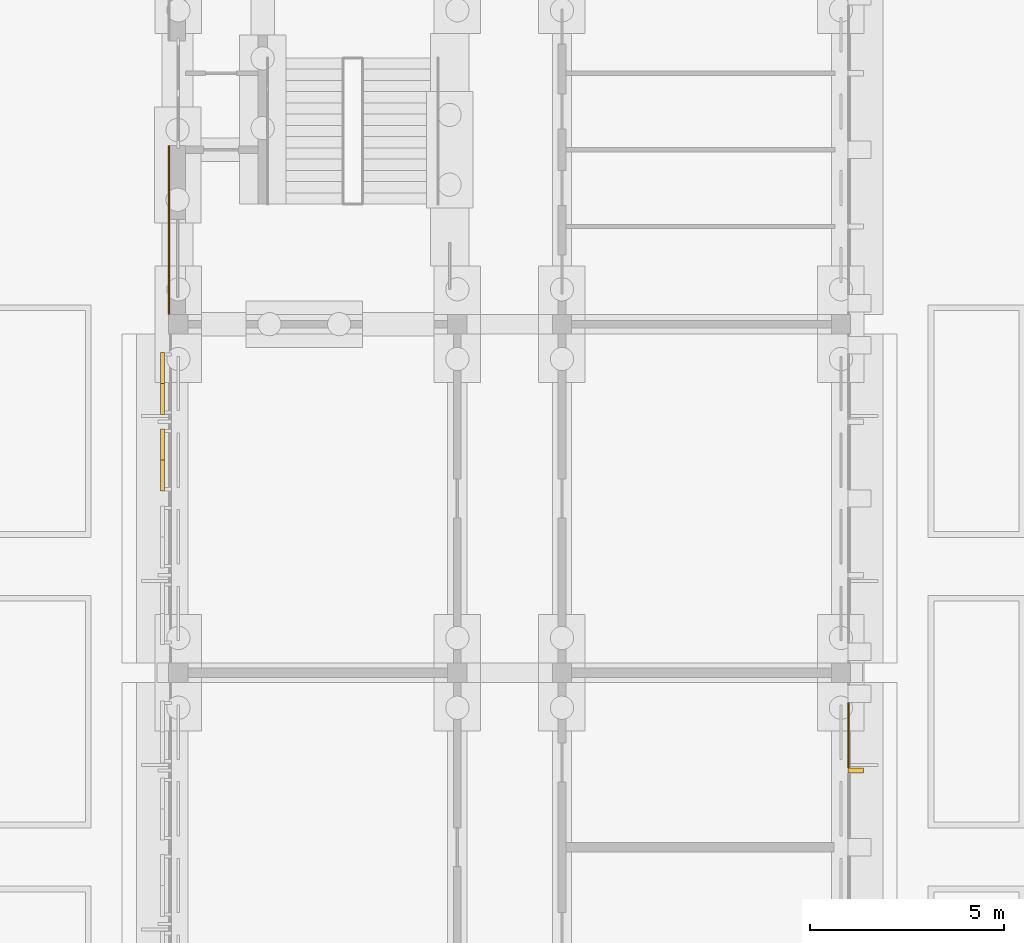
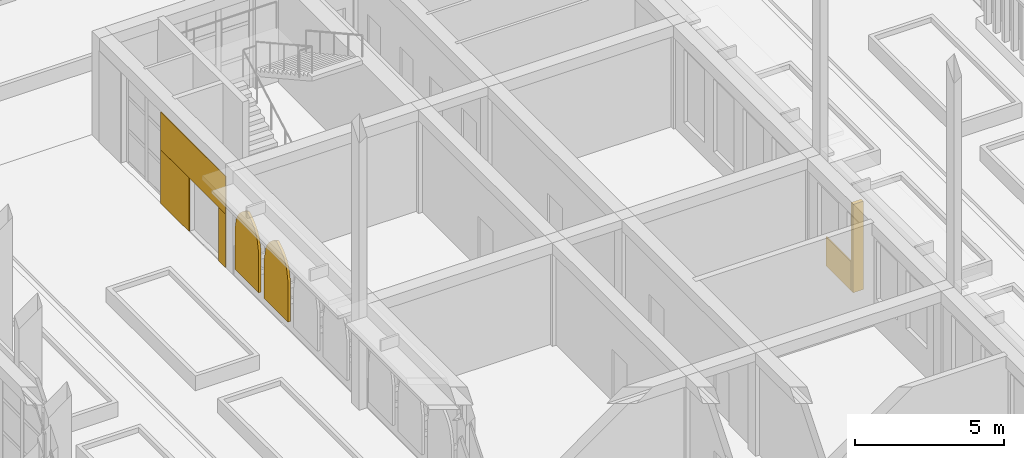
# One storey, part 109 of 161: 5 coverings, 2 shading devices.
"""IFC4 building model written with IfcOpenShell, lengths in metres."""

from ifc_helpers import new_model, si_unit, direction, frame, origin, origin_2d, place, context, subcontext, project, spatial, polyline, rectangle, outline, extrude, material, layer, layer_set, type_object, element, save


model = new_model("IFC4")

# Units and contexts
model_context = context("Model", 3, precision=1e-05, world=origin(), true_north=direction((0.0, 1.0)))
body_context = subcontext(model_context, "Body", "Model", "MODEL_VIEW")
ifc_project = project(units=[si_unit("LENGTHUNIT", "METRE"), si_unit("AREAUNIT", "SQUARE_METRE"), si_unit("VOLUMEUNIT", "CUBIC_METRE"), si_unit("PLANEANGLEUNIT", "RADIAN"), si_unit("MASSUNIT", "GRAM", prefix="KILO")], contexts=[model_context])

# Site, building, storey
site_placement = place(None, origin())
site = spatial("IfcSite", under=ifc_project, at=site_placement, CompositionType="ELEMENT")
building_placement = place(site_placement, origin())
building = spatial("IfcBuilding", under=site, at=building_placement, Name="Elbe Cascade School", CompositionType="ELEMENT")
storey_placement = place(building_placement, origin())
storey = spatial("IfcBuildingStorey", under=building, at=storey_placement, Name="L00", CompositionType="ELEMENT", Elevation=0.0)

# Shading devices
ifc_material_1 = material(Name="Precast concrete C40/50", Category="concrete")
ifc_layer_1 = layer(ifc_material_1, 0.10009765625)
ifc_layer_set_1 = layer_set([ifc_layer_1], Name="Precast concrete C40/50")
shading_device_type = type_object("IfcShadingDeviceType", Name="Bars envelope Jali screen 1600 x 2840, pointed arch rise 1200, pierced precast concrete", PredefinedType="USERDEFINED", material=ifc_layer_set_1)
shading_device_1_placement = place(storey_placement, frame((98.139892578125, 46.68994140625, 2.239990234375), z_axis=(-1.0, 0.0, 0.0), x_axis=(0.0, 0.196300278283, 0.98054382908)))
element("IfcShadingDevice", 1, at=shading_device_1_placement, inside=storey, type_object=shading_device_type, Name="Jali screen SD3 B.L00.w5.3", ObjectType="JALI", PredefinedType="USERDEFINED", context=body_context, shape_type="SweptSolid", body=[
    extrude(outline(polyline([(0.0, 0.0), (0.509921112317134, 0.0), (0.7186409460062186, 0.06005009918221829), (0.8735458233318658, 0.1311226852889124), (0.9982874871653163, 0.20823380534668107), (1.102872417131342, 0.2891312241218946), (1.1919448840573539, 0.37338315020117196), (1.268281725197354, 0.45993570394643946), (1.3336545243794973, 0.5489321924158467), (1.3075801207519657, 0.6562359822289878), (1.270445825421322, 0.7655049255997259), (1.220671754049922, 0.877553277802997), (1.155289369893253, 0.9924773561437888), (1.069846101614414, 1.1116665143685687), (0.9542396198433787, 1.2368942065444228), (0.7847223319636507, 1.37266560447821), (0.31409961520112845, 1.5689658827607584), (-1.2938869326328684, 1.8908772522001815), (-1.6079865478339967, 0.32191136943942317), (0.0, 0.0)])), origin(), (0.0, 0.0, -1.0), 0.10009765625),
])
shading_device_2_placement = place(storey_placement, frame((98.139892578125, 48.669921875, 2.239990234375), z_axis=(-1.0, 0.0, 0.0), x_axis=(0.0, 0.196300278283, 0.98054382908)))
element("IfcShadingDevice", 2, at=shading_device_2_placement, inside=storey, type_object=shading_device_type, Name="Jali screen SD3 B.L00.w5.4", ObjectType="JALI", PredefinedType="USERDEFINED", context=body_context, shape_type="SweptSolid", body=[
    extrude(outline(polyline([(0.0, 0.0), (0.509921112317134, 0.0), (0.7186888708788461, 0.0602894897654897), (0.8735458233318658, 0.1311226852889124), (0.9982874871653163, 0.20823380534668107), (1.102872417131342, 0.2891312241218946), (1.1919448840573539, 0.37338315020117196), (1.2683296500699814, 0.46017509452971084), (1.3336545243794973, 0.5489321924158467), (1.3075801207519657, 0.6562359822289878), (1.270445825421322, 0.7655049255997259), (1.220671754049922, 0.877553277802997), (1.1553372947658807, 0.9927167467270602), (1.069846101614414, 1.1116665143685687), (0.9542396198433787, 1.2368942065444228), (0.7847223319636507, 1.37266560447821), (0.31409961520112845, 1.5689658827607584), (-1.2938869326328684, 1.8908772522001815), (-1.6079865478339967, 0.32191136943942317), (0.0, 0.0)])), origin(), (0.0, 0.0, -1.0), 0.10009765625),
])

# Coverings
ifc_material_2 = material(Name="Precast concrete C40/50", Category="concrete")
covering_type_1 = type_object("IfcCoveringType", Name="Bars envelope Precast concrete fin, 140 wide, 400 deep", PredefinedType="CLADDING", material=ifc_material_2)
covering_1_placement = place(storey_placement, frame((116.080078125, 39.47998046875, 0.0), z_axis=(0.0, 0.0, 1.0), x_axis=(0.0, 1.0, 0.0)))
element("IfcCovering", 3, at=covering_1_placement, inside=storey, type_object=covering_type_1, Name="Fin CV56 B.L00.e4.5", PredefinedType="CLADDING", context=body_context, shape_type="SweptSolid", body=[
    extrude(rectangle(XDim=0.139892578125, YDim=0.39990234375, at=origin_2d()), origin(), (0.0, 0.0, 1.0), 3.6298828125),
])
ifc_material_3 = material(Name="Sandstone - red", Category="masonry")
ifc_layer_2 = layer(ifc_material_3, 0.0400390625)
ifc_layer_set_2 = layer_set([ifc_layer_2], Name="Sandstone - red")
covering_type_2 = type_object("IfcCoveringType", Name="Bars envelope Sandstone cladding, red, 40 mm", PredefinedType="CLADDING", material=ifc_layer_set_2)
covering_2_placement = place(storey_placement, frame((98.360107421875, 51.47509765625, 0.0), z_axis=(0.0, 0.0, 1.0), x_axis=(0.0, 1.0, 0.0)))
element("IfcCovering", 4, at=covering_2_placement, inside=storey, type_object=covering_type_2, Name="Sandstone cladding CV48 B.L00.w.6a.1", PredefinedType="CLADDING", context=body_context, shape_type="SweptSolid", body=[
    extrude(rectangle(XDim=0.449951171875, YDim=0.0400390625, at=origin_2d()), origin(), (0.0, 0.0, 1.0), 2.199951171875),
])
covering_3_placement = place(storey_placement, frame((98.360107421875, 54.655029296875, 0.0), z_axis=(0.0, 0.0, 1.0), x_axis=(0.0, 1.0, 0.0)))
element("IfcCovering", 5, at=covering_3_placement, inside=storey, type_object=covering_type_2, Name="Sandstone cladding CV48 B.L00.w.6a.2", PredefinedType="CLADDING", context=body_context, shape_type="SweptSolid", body=[
    extrude(rectangle(XDim=1.909912109375, YDim=0.0400390625, at=origin_2d()), origin(), (0.0, 0.0, 1.0), 2.199951171875),
])
covering_4_placement = place(storey_placement, frame((98.360107421875, 53.429931640625, 2.2001953125), z_axis=(0.0, 0.0, 1.0), x_axis=(0.0, 1.0, 0.0)))
element("IfcCovering", 6, at=covering_4_placement, inside=storey, type_object=covering_type_2, Name="Sandstone cladding CV48 B.L00.w.6a.3", PredefinedType="CLADDING", context=body_context, shape_type="SweptSolid", body=[
    extrude(rectangle(XDim=4.360107421875, YDim=0.0400390625, at=origin_2d()), origin(), (0.0, 0.0, 1.0), 1.550048828125),
])
covering_5_placement = place(storey_placement, frame((115.89990234375, 40.392578125, 0.0), z_axis=(0.0, 0.0, 1.0), x_axis=(0.0, 1.0, 0.0)))
element("IfcCovering", 7, at=covering_5_placement, inside=storey, type_object=covering_type_2, Name="Sandstone cladding CV48 B.L00.e.4.5", PredefinedType="CLADDING", context=body_context, shape_type="SweptSolid", body=[
    extrude(rectangle(XDim=1.68505859375, YDim=0.0400390625, at=origin_2d()), origin(), (0.0, 0.0, 1.0), 1.199951171875),
])

save(model, "model.ifc")
